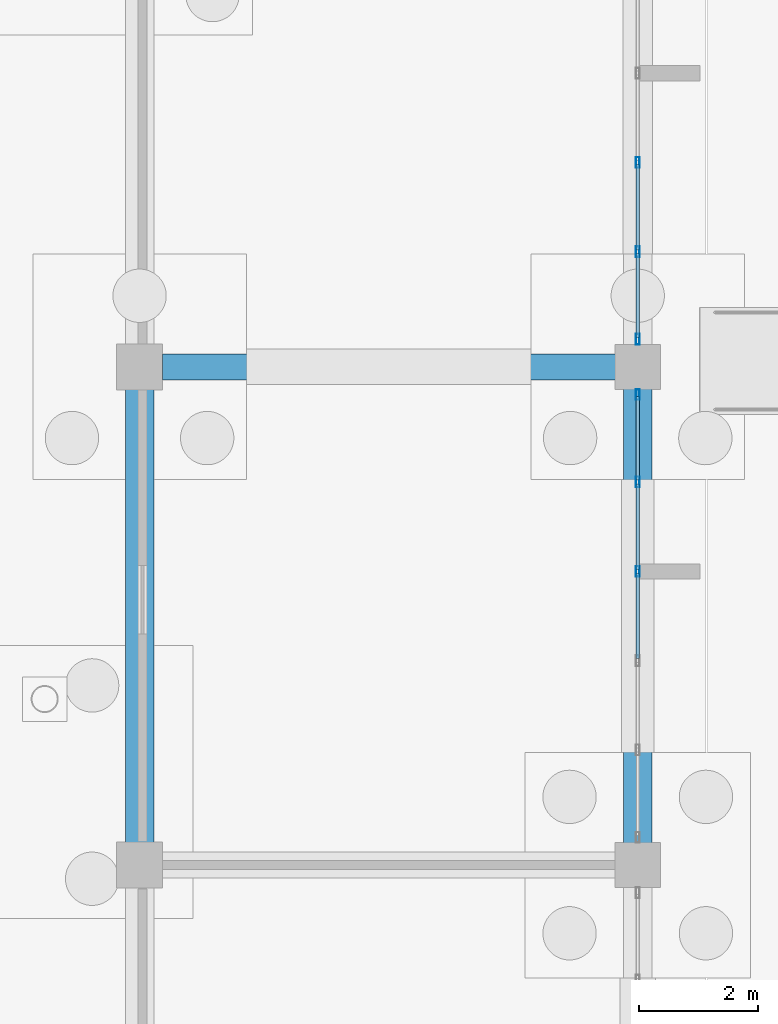
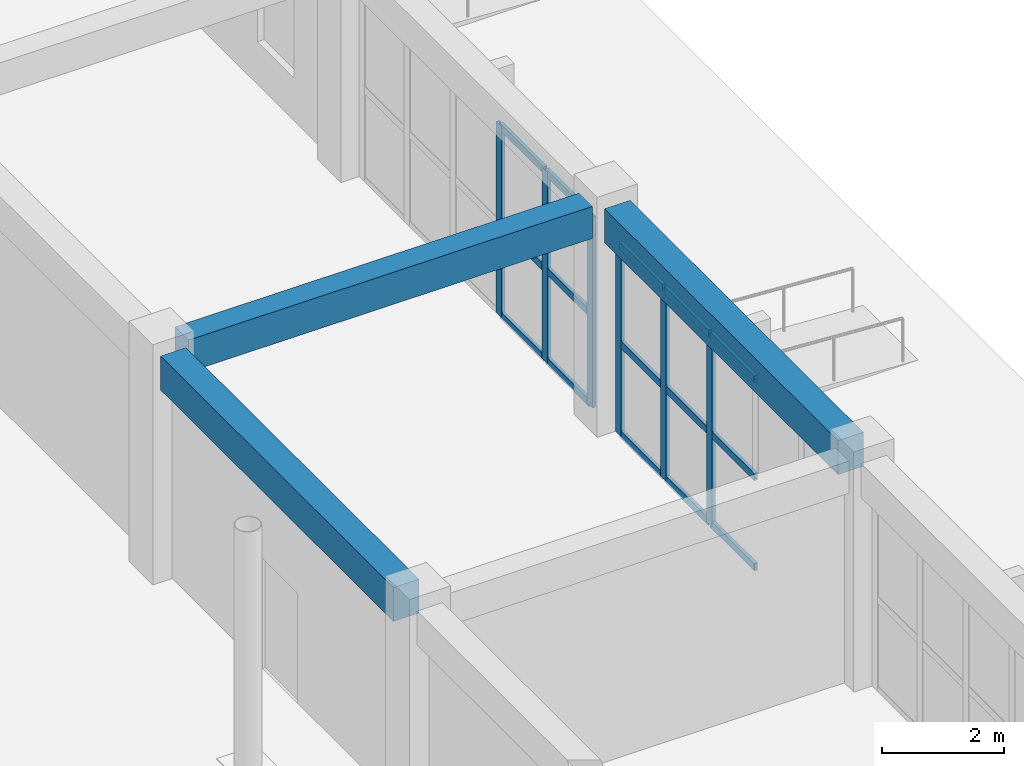
# One storey, part 130 of 192: 21 members, 3 beams, 2 elements without a shape of their own.
"""IFC4 building model written with IfcOpenShell, lengths in metres."""

from ifc_helpers import new_model, si_unit, direction, frame, origin, origin_2d, place, context, subcontext, project, spatial, rectangle, hollow_rectangle, extrude, material, layer, layer_set, material_profile, profile_set, type_object, element, aggregate, save


model = new_model("IFC4")

# Units and contexts
model_context = context("Model", 3, precision=1e-05, world=origin(), true_north=direction((0.0, 1.0)))
body_context = subcontext(model_context, "Body", "Model", "MODEL_VIEW")
ifc_project = project(units=[si_unit("LENGTHUNIT", "METRE"), si_unit("AREAUNIT", "SQUARE_METRE"), si_unit("VOLUMEUNIT", "CUBIC_METRE"), si_unit("PLANEANGLEUNIT", "RADIAN"), si_unit("MASSUNIT", "GRAM", prefix="KILO")], contexts=[model_context])

# Site, building, storey
site_placement = place(None, origin())
site = spatial("IfcSite", under=ifc_project, at=site_placement, CompositionType="ELEMENT")
building_placement = place(site_placement, origin())
building = spatial("IfcBuilding", under=site, at=building_placement, Name="Trelvath General Hospital", CompositionType="ELEMENT")
storey_placement = place(building_placement, origin())
storey = spatial("IfcBuildingStorey", under=building, at=storey_placement, Name="L00", CompositionType="ELEMENT", Elevation=0.0)

# Beams
ifc_material_1 = material(Name="Concrete C35/45", Category="concrete")
ifc_material_profile_1 = material_profile(ifc_material_1, rectangle(XDim=0.43994140625, YDim=0.639892578125, at=origin_2d()), Name="RCB440x640")
ifc_profile_set_1 = profile_set([ifc_material_profile_1], Name="Concrete C35/45")
beam_type_1 = type_object("IfcBeamType", Name="Beam RC440x640", PredefinedType="BEAM", material=ifc_profile_set_1)
beam_1_placement = place(storey_placement, frame((176.784912109375, 58.800048828125, 4.199951171875), z_axis=(1.0, 0.0, 0.0), x_axis=(0.0, 1.0, 0.0)))
element("IfcBeam", 1, at=beam_1_placement, inside=storey, type_object=beam_type_1, Name="Grid Beam BX-021H", PredefinedType="BEAM", context=body_context, shape_type="SweptSolid", body=[
    extrude(rectangle(XDim=0.43994140625, YDim=0.639892578125, at=origin_2d()), origin(), (0.0, 0.0, 1.0), 7.64013671875),
])
ifc_material_2 = material(Name="Concrete C35/45", Category="concrete")
ifc_material_profile_2 = material_profile(ifc_material_2, rectangle(XDim=0.47998046875, YDim=0.679931640625, at=origin_2d()), Name="RCB480x680")
ifc_profile_set_2 = profile_set([ifc_material_profile_2], Name="Concrete C35/45")
beam_type_2 = type_object("IfcBeamType", Name="Beam RC480x680", PredefinedType="BEAM", material=ifc_profile_set_2)
beam_2_placement = place(storey_placement, frame((176.39990234375, 50.784912109375, 4.179931640625), z_axis=(0.0, 1.0, 0.0), x_axis=(-1.0, 0.0, 0.0)))
element("IfcBeam", 2, at=beam_2_placement, inside=storey, type_object=beam_type_2, Name="Grid Beam BY-021G", PredefinedType="BEAM", context=body_context, shape_type="SweptSolid", body=[
    extrude(rectangle(XDim=0.47998046875, YDim=0.679931640625, at=origin_2d()), origin(), (0.0, 0.0, 1.0), 7.630126953125),
])
beam_3_placement = place(storey_placement, frame((184.800048828125, 50.77490234375, 4.179931640625), z_axis=(0.0, 1.0, 0.0), x_axis=(-1.0, 0.0, 0.0)))
element("IfcBeam", 3, at=beam_3_placement, inside=storey, type_object=beam_type_2, Name="Grid Beam BY-022G", PredefinedType="BEAM", context=body_context, shape_type="SweptSolid", body=[
    extrude(rectangle(XDim=0.47998046875, YDim=0.679931640625, at=origin_2d()), origin(), (0.0, 0.0, 1.0), 7.650146484375),
])

# Curtain wall, members
ifc_material_3 = material(Name="Anodised aluminium and low-E glass", Category="aluminium")
ifc_layer = layer(ifc_material_3, 0.179931640625)
ifc_layer_set = layer_set([ifc_layer], Name="Anodised aluminium and low-E glass")
curtain_wall_type = type_object("IfcCurtainWallType", Name="CW Facade 753 382 18", PredefinedType="USERDEFINED", material=ifc_layer_set)
curtain_wall_1_placement = place(storey_placement, origin())
curtain_wall_1 = element("IfcCurtainWall", 4, at=curtain_wall_1_placement, inside=storey, type_object=curtain_wall_type, Name="Facade Curtain Wall CW-012", ObjectType="Unitised Glazed Curtain Wall", PredefinedType="USERDEFINED")
ifc_material_4 = material(Name="Anodised aluminium", Category="aluminium")
ifc_material_profile_3 = material_profile(ifc_material_4, hollow_rectangle(XDim=0.06494140625, YDim=0.179931640625, WallThickness=0.0048828125, at=origin_2d()), Name="RHS65x180x5")
ifc_profile_set_3 = profile_set([ifc_material_profile_3], Name="Anodised aluminium")
member_type_1 = type_object("IfcMemberType", Name="CurtainMullion 65x180", PredefinedType="MULLION", material=ifc_profile_set_3)
member_1_placement = place(storey_placement, frame((184.800048828125, 58.33251953125, 0.0), z_axis=(0.0, 0.0, 1.0), x_axis=(1.0, 0.0, 0.0)))
member_1 = element("IfcMember", 5, at=member_1_placement, type_object=member_type_1, Name="CW-012 mullion 1", PredefinedType="MULLION", context=body_context, shape_type="SweptSolid", body=[
    extrude(hollow_rectangle(XDim=0.06494140625, YDim=0.179931640625, WallThickness=0.0048828125, at=origin_2d()), origin(), (0.0, 0.0, 1.0), 3.820068359375),
])
member_2_placement = place(storey_placement, frame((184.800048828125, 56.85888671875, 0.0), z_axis=(0.0, 0.0, 1.0), x_axis=(1.0, 0.0, 0.0)))
member_2 = element("IfcMember", 6, at=member_2_placement, type_object=member_type_1, Name="CW-012 mullion 2", PredefinedType="MULLION", context=body_context, shape_type="SweptSolid", body=[
    extrude(hollow_rectangle(XDim=0.06494140625, YDim=0.179931640625, WallThickness=0.0048828125, at=origin_2d()), origin(), (0.0, 0.0, 1.0), 3.820068359375),
])
member_3_placement = place(storey_placement, frame((184.800048828125, 55.35302734375, 0.0), z_axis=(0.0, 0.0, 1.0), x_axis=(1.0, 0.0, 0.0)))
member_3 = element("IfcMember", 7, at=member_3_placement, type_object=member_type_1, Name="CW-012 mullion 3", PredefinedType="MULLION", context=body_context, shape_type="SweptSolid", body=[
    extrude(hollow_rectangle(XDim=0.06494140625, YDim=0.179931640625, WallThickness=0.0048828125, at=origin_2d()), origin(), (0.0, 0.0, 1.0), 3.820068359375),
])

curtain_wall_2_placement = place(storey_placement, origin())
curtain_wall_2 = element("IfcCurtainWall", 8, at=curtain_wall_2_placement, inside=storey, type_object=curtain_wall_type, Name="Facade Curtain Wall CW-013", ObjectType="Unitised Glazed Curtain Wall", PredefinedType="USERDEFINED")
member_4_placement = place(storey_placement, frame((184.800048828125, 62.2470703125, 0.0), z_axis=(0.0, 0.0, 1.0), x_axis=(1.0, 0.0, 0.0)))
member_4 = element("IfcMember", 9, at=member_4_placement, type_object=member_type_1, Name="CW-013 mullion 4", PredefinedType="MULLION", context=body_context, shape_type="SweptSolid", body=[
    extrude(hollow_rectangle(XDim=0.06494140625, YDim=0.179931640625, WallThickness=0.0048828125, at=origin_2d()), origin(), (0.0, 0.0, 1.0), 3.820068359375),
])
member_5_placement = place(storey_placement, frame((184.800048828125, 60.740966796875, 0.0), z_axis=(0.0, 0.0, 1.0), x_axis=(1.0, 0.0, 0.0)))
member_5 = element("IfcMember", 10, at=member_5_placement, type_object=member_type_1, Name="CW-013 mullion 5", PredefinedType="MULLION", context=body_context, shape_type="SweptSolid", body=[
    extrude(hollow_rectangle(XDim=0.06494140625, YDim=0.179931640625, WallThickness=0.0048828125, at=origin_2d()), origin(), (0.0, 0.0, 1.0), 3.820068359375),
])
member_6_placement = place(storey_placement, frame((184.800048828125, 59.267578125, 0.0), z_axis=(0.0, 0.0, 1.0), x_axis=(1.0, 0.0, 0.0)))
member_6 = element("IfcMember", 11, at=member_6_placement, type_object=member_type_1, Name="CW-013 mullion 6", PredefinedType="MULLION", context=body_context, shape_type="SweptSolid", body=[
    extrude(hollow_rectangle(XDim=0.06494140625, YDim=0.179931640625, WallThickness=0.0048828125, at=origin_2d()), origin(), (0.0, 0.0, 1.0), 3.820068359375),
])

# Member
ifc_material_5 = material(Name="Anodised aluminium", Category="aluminium")
ifc_material_profile_4 = material_profile(ifc_material_5, hollow_rectangle(XDim=0.06494140625, YDim=0.14501953125, WallThickness=0.00390625, at=origin_2d()), Name="RHS65x145x4")
ifc_profile_set_4 = profile_set([ifc_material_profile_4], Name="Anodised aluminium")
member_type_2 = type_object("IfcMemberType", Name="CurtainTransom 65x145", PredefinedType="USERDEFINED", material=ifc_profile_set_4)
member_7_placement = place(storey_placement, frame((184.800048828125, 58.300048828125, 0.032470703125), z_axis=(0.0, -1.0, 0.0), x_axis=(1.0, 0.0, 0.0)))
member_7 = element("IfcMember", 12, at=member_7_placement, type_object=member_type_2, Name="CW-012 transom 1.1", ObjectType="TRANSOM", PredefinedType="USERDEFINED", context=body_context, shape_type="SweptSolid", body=[
    extrude(hollow_rectangle(XDim=0.06494140625, YDim=0.14501953125, WallThickness=0.00390625, at=origin_2d()), origin(), (0.0, 0.0, 1.0), 1.408447265625),
])

member_8_placement = place(storey_placement, frame((184.800048828125, 58.300048828125, 1.833984375), z_axis=(0.0, -1.0, 0.0), x_axis=(1.0, 0.0, 0.0)))
member_8 = element("IfcMember", 13, at=member_8_placement, type_object=member_type_2, Name="CW-012 transom 1.2", ObjectType="TRANSOM", PredefinedType="USERDEFINED", context=body_context, shape_type="SweptSolid", body=[
    extrude(hollow_rectangle(XDim=0.06494140625, YDim=0.14501953125, WallThickness=0.00390625, at=origin_2d()), origin(), (0.0, 0.0, 1.0), 1.408447265625),
])

member_9_placement = place(storey_placement, frame((184.800048828125, 58.300048828125, 3.78759765625), z_axis=(0.0, -1.0, 0.0), x_axis=(1.0, 0.0, 0.0)))
member_9 = element("IfcMember", 14, at=member_9_placement, type_object=member_type_2, Name="CW-012 transom 1.3", ObjectType="TRANSOM", PredefinedType="USERDEFINED", context=body_context, shape_type="SweptSolid", body=[
    extrude(hollow_rectangle(XDim=0.06494140625, YDim=0.14501953125, WallThickness=0.00390625, at=origin_2d()), origin(), (0.0, 0.0, 1.0), 1.408447265625),
])

member_10_placement = place(storey_placement, frame((184.800048828125, 56.826416015625, 0.032470703125), z_axis=(0.0, -1.0, 0.0), x_axis=(1.0, 0.0, 0.0)))
member_10 = element("IfcMember", 15, at=member_10_placement, type_object=member_type_2, Name="CW-012 transom 2.1", ObjectType="TRANSOM", PredefinedType="USERDEFINED", context=body_context, shape_type="SweptSolid", body=[
    extrude(hollow_rectangle(XDim=0.06494140625, YDim=0.14501953125, WallThickness=0.00390625, at=origin_2d()), origin(), (0.0, 0.0, 1.0), 1.44091796875),
])

member_11_placement = place(storey_placement, frame((184.800048828125, 56.826416015625, 1.833984375), z_axis=(0.0, -1.0, 0.0), x_axis=(1.0, 0.0, 0.0)))
member_11 = element("IfcMember", 16, at=member_11_placement, type_object=member_type_2, Name="CW-012 transom 2.2", ObjectType="TRANSOM", PredefinedType="USERDEFINED", context=body_context, shape_type="SweptSolid", body=[
    extrude(hollow_rectangle(XDim=0.06494140625, YDim=0.14501953125, WallThickness=0.00390625, at=origin_2d()), origin(), (0.0, 0.0, 1.0), 1.44091796875),
])

member_12_placement = place(storey_placement, frame((184.800048828125, 56.826416015625, 3.78759765625), z_axis=(0.0, -1.0, 0.0), x_axis=(1.0, 0.0, 0.0)))
member_12 = element("IfcMember", 17, at=member_12_placement, type_object=member_type_2, Name="CW-012 transom 2.3", ObjectType="TRANSOM", PredefinedType="USERDEFINED", context=body_context, shape_type="SweptSolid", body=[
    extrude(hollow_rectangle(XDim=0.06494140625, YDim=0.14501953125, WallThickness=0.00390625, at=origin_2d()), origin(), (0.0, 0.0, 1.0), 1.44091796875),
])

member_13_placement = place(storey_placement, frame((184.800048828125, 55.320556640625, 0.032470703125), z_axis=(0.0, -1.0, 0.0), x_axis=(1.0, 0.0, 0.0)))
member_13 = element("IfcMember", 18, at=member_13_placement, type_object=member_type_2, Name="CW-012 transom 3.1", ObjectType="TRANSOM", PredefinedType="USERDEFINED", context=body_context, shape_type="SweptSolid", body=[
    extrude(hollow_rectangle(XDim=0.06494140625, YDim=0.14501953125, WallThickness=0.00390625, at=origin_2d()), origin(), (0.0, 0.0, 1.0), 1.441162109375),
])

member_14_placement = place(storey_placement, frame((184.800048828125, 55.320556640625, 1.833984375), z_axis=(0.0, -1.0, 0.0), x_axis=(1.0, 0.0, 0.0)))
member_14 = element("IfcMember", 19, at=member_14_placement, type_object=member_type_2, Name="CW-012 transom 3.2", ObjectType="TRANSOM", PredefinedType="USERDEFINED", context=body_context, shape_type="SweptSolid", body=[
    extrude(hollow_rectangle(XDim=0.06494140625, YDim=0.14501953125, WallThickness=0.00390625, at=origin_2d()), origin(), (0.0, 0.0, 1.0), 1.441162109375),
])

member_15_placement = place(storey_placement, frame((184.800048828125, 55.320556640625, 3.78759765625), z_axis=(0.0, -1.0, 0.0), x_axis=(1.0, 0.0, 0.0)))
member_15 = element("IfcMember", 20, at=member_15_placement, type_object=member_type_2, Name="CW-012 transom 3.3", ObjectType="TRANSOM", PredefinedType="USERDEFINED", context=body_context, shape_type="SweptSolid", body=[
    extrude(hollow_rectangle(XDim=0.06494140625, YDim=0.14501953125, WallThickness=0.00390625, at=origin_2d()), origin(), (0.0, 0.0, 1.0), 1.441162109375),
])

aggregate(curtain_wall_1, [member_1, member_2, member_3, member_7, member_8, member_9, member_10, member_11, member_12, member_13, member_14, member_15])

member_16_placement = place(storey_placement, frame((184.800048828125, 62.214599609375, 0.032470703125), z_axis=(0.0, -1.0, 0.0), x_axis=(1.0, 0.0, 0.0)))
member_16 = element("IfcMember", 21, at=member_16_placement, type_object=member_type_2, Name="CW-013 transom 4.1", ObjectType="TRANSOM", PredefinedType="USERDEFINED", context=body_context, shape_type="SweptSolid", body=[
    extrude(hollow_rectangle(XDim=0.06494140625, YDim=0.14501953125, WallThickness=0.00390625, at=origin_2d()), origin(), (0.0, 0.0, 1.0), 1.441162109375),
])

member_17_placement = place(storey_placement, frame((184.800048828125, 62.214599609375, 1.833984375), z_axis=(0.0, -1.0, 0.0), x_axis=(1.0, 0.0, 0.0)))
member_17 = element("IfcMember", 22, at=member_17_placement, type_object=member_type_2, Name="CW-013 transom 4.2", ObjectType="TRANSOM", PredefinedType="USERDEFINED", context=body_context, shape_type="SweptSolid", body=[
    extrude(hollow_rectangle(XDim=0.06494140625, YDim=0.14501953125, WallThickness=0.00390625, at=origin_2d()), origin(), (0.0, 0.0, 1.0), 1.441162109375),
])

member_18_placement = place(storey_placement, frame((184.800048828125, 62.214599609375, 3.78759765625), z_axis=(0.0, -1.0, 0.0), x_axis=(1.0, 0.0, 0.0)))
member_18 = element("IfcMember", 23, at=member_18_placement, type_object=member_type_2, Name="CW-013 transom 4.3", ObjectType="TRANSOM", PredefinedType="USERDEFINED", context=body_context, shape_type="SweptSolid", body=[
    extrude(hollow_rectangle(XDim=0.06494140625, YDim=0.14501953125, WallThickness=0.00390625, at=origin_2d()), origin(), (0.0, 0.0, 1.0), 1.441162109375),
])

member_19_placement = place(storey_placement, frame((184.800048828125, 60.70849609375, 0.032470703125), z_axis=(0.0, -1.0, 0.0), x_axis=(1.0, 0.0, 0.0)))
member_19 = element("IfcMember", 24, at=member_19_placement, type_object=member_type_2, Name="CW-013 transom 5.1", ObjectType="TRANSOM", PredefinedType="USERDEFINED", context=body_context, shape_type="SweptSolid", body=[
    extrude(hollow_rectangle(XDim=0.06494140625, YDim=0.14501953125, WallThickness=0.00390625, at=origin_2d()), origin(), (0.0, 0.0, 1.0), 1.408447265625),
])

member_20_placement = place(storey_placement, frame((184.800048828125, 60.70849609375, 1.833984375), z_axis=(0.0, -1.0, 0.0), x_axis=(1.0, 0.0, 0.0)))
member_20 = element("IfcMember", 25, at=member_20_placement, type_object=member_type_2, Name="CW-013 transom 5.2", ObjectType="TRANSOM", PredefinedType="USERDEFINED", context=body_context, shape_type="SweptSolid", body=[
    extrude(hollow_rectangle(XDim=0.06494140625, YDim=0.14501953125, WallThickness=0.00390625, at=origin_2d()), origin(), (0.0, 0.0, 1.0), 1.408447265625),
])

member_21_placement = place(storey_placement, frame((184.800048828125, 60.70849609375, 3.78759765625), z_axis=(0.0, -1.0, 0.0), x_axis=(1.0, 0.0, 0.0)))
member_21 = element("IfcMember", 26, at=member_21_placement, type_object=member_type_2, Name="CW-013 transom 5.3", ObjectType="TRANSOM", PredefinedType="USERDEFINED", context=body_context, shape_type="SweptSolid", body=[
    extrude(hollow_rectangle(XDim=0.06494140625, YDim=0.14501953125, WallThickness=0.00390625, at=origin_2d()), origin(), (0.0, 0.0, 1.0), 1.408447265625),
])

aggregate(curtain_wall_2, [member_4, member_5, member_6, member_16, member_17, member_18, member_19, member_20, member_21])

save(model, "model.ifc")
